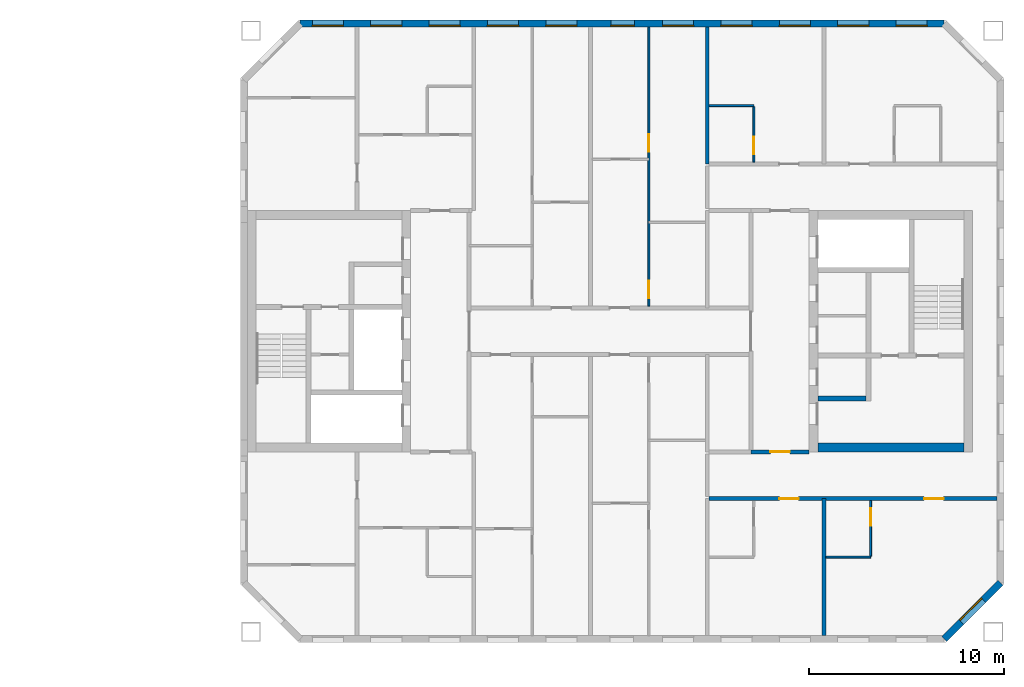
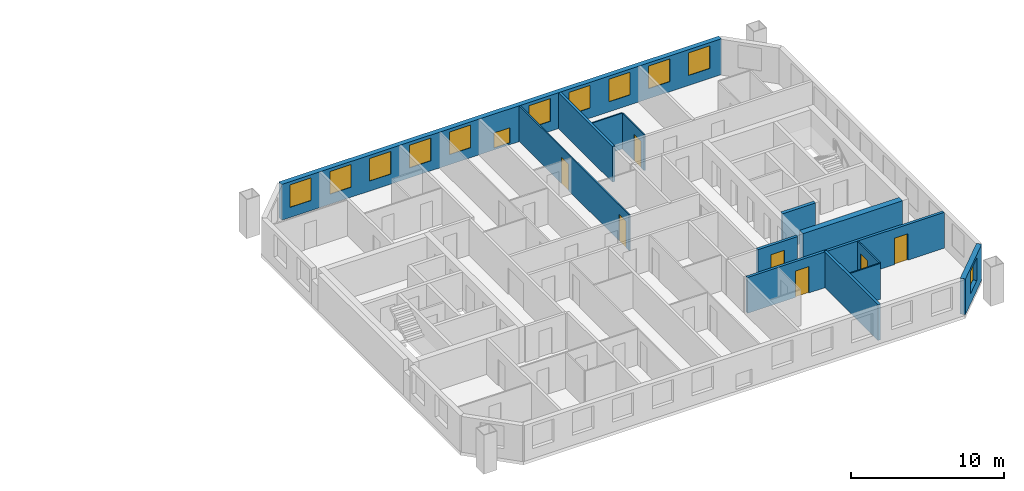
# One storey, part 11 of 15: 13 walls, 12 windows, 7 doors, 19 openings.
"""IFC4 building model written with IfcOpenShell, lengths in metres."""

from ifc_helpers import new_model, si_unit, direction, frame, frame_2d, origin, place, context, subcontext, project, spatial, rectangle, extrude, material, layer, layer_set, type_object, element, fill, save


model = new_model("IFC4")

# Units and contexts
model_context = context("Model", 3, precision=1e-05, world=origin(), true_north=direction((0.0, 1.0)))
body_context = subcontext(model_context, "Body", "Model", "MODEL_VIEW")
ifc_project = project(units=[si_unit("LENGTHUNIT", "METRE"), si_unit("AREAUNIT", "SQUARE_METRE"), si_unit("VOLUMEUNIT", "CUBIC_METRE"), si_unit("PLANEANGLEUNIT", "RADIAN"), si_unit("MASSUNIT", "GRAM", prefix="KILO")], contexts=[model_context])

# Site, building, storey
site_placement = place(None, origin())
site = spatial("IfcSite", under=ifc_project, at=site_placement, CompositionType="ELEMENT")
building_placement = place(site_placement, origin())
building = spatial("IfcBuilding", under=site, at=building_placement, Name="Tuart Gate Housing", CompositionType="ELEMENT")
storey_placement = place(building_placement, frame((0.0, 0.0, 191.300048828125)))
storey = spatial("IfcBuildingStorey", under=building, at=storey_placement, Name="L54", CompositionType="ELEMENT", Elevation=191.300048828125)

# Wall, opening, window
ifc_material_1 = material(Name="Brick", Category="masonry")
ifc_layer_1 = layer(ifc_material_1, 0.360107421875)
ifc_layer_set_1 = layer_set([ifc_layer_1], Name="Brick pier and spandrel wall 360")
wall_type_1 = type_object("IfcWallType", Name="Brick pier and spandrel wall 360", PredefinedType="STANDARD", material=ifc_layer_set_1)
wall_1_placement = place(storey_placement, frame((167.17529296875, 54.179931640625, 0.0), z_axis=(0.0, 0.0, 1.0), x_axis=(0.707106781187, 0.707106781187, 0.0)))
wall_1 = element("IfcWall", 1, at=wall_1_placement, inside=storey, type_object=wall_type_1, Name="External wall B-SE L54", PredefinedType="STANDARD", context=body_context, shape_type="SweptSolid", body=[
    extrude(rectangle(XDim=4.09375, YDim=0.360107421875, at=frame_2d((2.046875, 0.0))), origin(), (0.0, 0.0, 1.0), 2.849853515625),
])
opening_1_placement = place(wall_1_placement, frame((1.2470703125, 0.0, 0.800048828125)))
opening_1 = element("IfcOpeningElement", 2, at=opening_1_placement, cuts=wall_1, Name="Opening W1", PredefinedType="OPENING", context=body_context, shape_type="SweptSolid", body=[
    extrude(rectangle(XDim=1.60009765625, YDim=1.800048828125, at=frame_2d((0.800048828125, 0.89990234375))), frame((0.0, 0.18994140625, 0.0), z_axis=(0.0, -1.0, 0.0), x_axis=(1.0, 0.0, 0.0)), (0.0, 0.0, 1.0), 0.380126953125),
])
ifc_material_2 = material(Name="Aluminium frame with clear glass", Category="aluminium")
window_type_1 = type_object("IfcWindowType", Name="Punched window 1600 x 1800", PartitioningType="SINGLE_PANEL", PredefinedType="WINDOW", material=ifc_material_2)
window_1_placement = place(opening_1_placement, origin())
window_1 = element("IfcWindow", 3, at=window_1_placement, inside=storey, type_object=window_type_1, Name="Window W1", OverallHeight=1.800048828125, OverallWidth=1.60009765625, PartitioningType="SINGLE_PANEL", PredefinedType="WINDOW", context=body_context, shape_type="SweptSolid", body=[
    extrude(rectangle(XDim=1.60009765625, YDim=1.800048828125, at=frame_2d((0.800048828125, 0.89990234375))), frame((0.0, 0.150146484375, 0.0), z_axis=(0.0, -1.0, 0.0), x_axis=(1.0, 0.0, 0.0)), (0.0, 0.0, 1.0), 0.06005859375),
])
fill(opening_1, window_1)

# Wall, openings, windows
wall_2_placement = place(storey_placement, frame((167.17529296875, 85.820068359375, 0.0), z_axis=(0.0, 0.0, 1.0), x_axis=(-1.0, 0.0, 0.0)))
wall_2 = element("IfcWall", 4, at=wall_2_placement, inside=storey, type_object=wall_type_1, Name="External wall B-N L54", PredefinedType="STANDARD", context=body_context, shape_type="SweptSolid", body=[
    extrude(rectangle(XDim=33.100830078125, YDim=0.360107421875, at=frame_2d((16.55029296875, 0.0))), origin(), (0.0, 0.0, 1.0), 2.849853515625),
])
opening_2_placement = place(wall_2_placement, frame((0.87548828125, 0.0, 0.800048828125)))
opening_2 = element("IfcOpeningElement", 5, at=opening_2_placement, cuts=wall_2, Name="Opening W1", PredefinedType="OPENING", context=body_context, shape_type="SweptSolid", body=[
    extrude(rectangle(XDim=1.60009765625, YDim=1.800048828125, at=frame_2d((0.800048828125, 0.89990234375))), frame((0.0, 0.18994140625, 0.0), z_axis=(0.0, -1.0, 0.0), x_axis=(1.0, 0.0, 0.0)), (0.0, 0.0, 1.0), 0.380126953125),
])
opening_3_placement = place(wall_2_placement, frame((3.87548828125, 0.0, 0.800048828125)))
opening_3 = element("IfcOpeningElement", 6, at=opening_3_placement, cuts=wall_2, Name="Opening W1", PredefinedType="OPENING", context=body_context, shape_type="SweptSolid", body=[
    extrude(rectangle(XDim=1.60009765625, YDim=1.800048828125, at=frame_2d((0.800048828125, 0.89990234375))), frame((0.0, 0.18994140625, 0.0), z_axis=(0.0, -1.0, 0.0), x_axis=(1.0, 0.0, 0.0)), (0.0, 0.0, 1.0), 0.380126953125),
])
opening_4_placement = place(wall_2_placement, frame((6.87548828125, 0.0, 0.800048828125)))
opening_4 = element("IfcOpeningElement", 7, at=opening_4_placement, cuts=wall_2, Name="Opening W1", PredefinedType="OPENING", context=body_context, shape_type="SweptSolid", body=[
    extrude(rectangle(XDim=1.60009765625, YDim=1.800048828125, at=frame_2d((0.800048828125, 0.89990234375))), frame((0.0, 0.18994140625, 0.0), z_axis=(0.0, -1.0, 0.0), x_axis=(1.0, 0.0, 0.0)), (0.0, 0.0, 1.0), 0.380126953125),
])
opening_5_placement = place(wall_2_placement, frame((9.87548828125, 0.0, 0.800048828125)))
opening_5 = element("IfcOpeningElement", 8, at=opening_5_placement, cuts=wall_2, Name="Opening W1", PredefinedType="OPENING", context=body_context, shape_type="SweptSolid", body=[
    extrude(rectangle(XDim=1.60009765625, YDim=1.800048828125, at=frame_2d((0.800048828125, 0.89990234375))), frame((0.0, 0.18994140625, 0.0), z_axis=(0.0, -1.0, 0.0), x_axis=(1.0, 0.0, 0.0)), (0.0, 0.0, 1.0), 0.380126953125),
])
opening_6_placement = place(wall_2_placement, frame((12.87548828125, 0.0, 0.800048828125)))
opening_6 = element("IfcOpeningElement", 9, at=opening_6_placement, cuts=wall_2, Name="Opening W1", PredefinedType="OPENING", context=body_context, shape_type="SweptSolid", body=[
    extrude(rectangle(XDim=1.60009765625, YDim=1.800048828125, at=frame_2d((0.800048828125, 0.89990234375))), frame((0.0, 0.18994140625, 0.0), z_axis=(0.0, -1.0, 0.0), x_axis=(1.0, 0.0, 0.0)), (0.0, 0.0, 1.0), 0.380126953125),
])
opening_7_placement = place(wall_2_placement, frame((15.92529296875, 0.0, 0.14990234375)))
opening_7 = element("IfcOpeningElement", 10, at=opening_7_placement, cuts=wall_2, Name="Opening W1N", PredefinedType="OPENING", context=body_context, shape_type="SweptSolid", body=[
    extrude(rectangle(XDim=1.199951171875, YDim=1.199951171875, at=frame_2d((0.60009765625, 0.60009765625))), frame((0.0, 0.18994140625, 0.0), z_axis=(0.0, -1.0, 0.0), x_axis=(1.0, 0.0, 0.0)), (0.0, 0.0, 1.0), 0.380126953125),
])
opening_8_placement = place(wall_2_placement, frame((18.87548828125, 0.0, 0.800048828125)))
opening_8 = element("IfcOpeningElement", 11, at=opening_8_placement, cuts=wall_2, Name="Opening W1", PredefinedType="OPENING", context=body_context, shape_type="SweptSolid", body=[
    extrude(rectangle(XDim=1.60009765625, YDim=1.800048828125, at=frame_2d((0.800048828125, 0.89990234375))), frame((0.0, 0.18994140625, 0.0), z_axis=(0.0, -1.0, 0.0), x_axis=(1.0, 0.0, 0.0)), (0.0, 0.0, 1.0), 0.380126953125),
])
opening_9_placement = place(wall_2_placement, frame((21.87548828125, 0.0, 0.800048828125)))
opening_9 = element("IfcOpeningElement", 12, at=opening_9_placement, cuts=wall_2, Name="Opening W1", PredefinedType="OPENING", context=body_context, shape_type="SweptSolid", body=[
    extrude(rectangle(XDim=1.60009765625, YDim=1.800048828125, at=frame_2d((0.800048828125, 0.89990234375))), frame((0.0, 0.18994140625, 0.0), z_axis=(0.0, -1.0, 0.0), x_axis=(1.0, 0.0, 0.0)), (0.0, 0.0, 1.0), 0.380126953125),
])
opening_10_placement = place(wall_2_placement, frame((24.87548828125, 0.0, 0.800048828125)))
opening_10 = element("IfcOpeningElement", 13, at=opening_10_placement, cuts=wall_2, Name="Opening W1", PredefinedType="OPENING", context=body_context, shape_type="SweptSolid", body=[
    extrude(rectangle(XDim=1.60009765625, YDim=1.800048828125, at=frame_2d((0.800048828125, 0.89990234375))), frame((0.0, 0.18994140625, 0.0), z_axis=(0.0, -1.0, 0.0), x_axis=(1.0, 0.0, 0.0)), (0.0, 0.0, 1.0), 0.380126953125),
])
opening_11_placement = place(wall_2_placement, frame((27.87548828125, 0.0, 0.800048828125)))
opening_11 = element("IfcOpeningElement", 14, at=opening_11_placement, cuts=wall_2, Name="Opening W1", PredefinedType="OPENING", context=body_context, shape_type="SweptSolid", body=[
    extrude(rectangle(XDim=1.60009765625, YDim=1.800048828125, at=frame_2d((0.800048828125, 0.89990234375))), frame((0.0, 0.18994140625, 0.0), z_axis=(0.0, -1.0, 0.0), x_axis=(1.0, 0.0, 0.0)), (0.0, 0.0, 1.0), 0.380126953125),
])
opening_12_placement = place(wall_2_placement, frame((30.87548828125, 0.0, 0.800048828125)))
opening_12 = element("IfcOpeningElement", 15, at=opening_12_placement, cuts=wall_2, Name="Opening W1", PredefinedType="OPENING", context=body_context, shape_type="SweptSolid", body=[
    extrude(rectangle(XDim=1.60009765625, YDim=1.800048828125, at=frame_2d((0.800048828125, 0.89990234375))), frame((0.0, 0.18994140625, 0.0), z_axis=(0.0, -1.0, 0.0), x_axis=(1.0, 0.0, 0.0)), (0.0, 0.0, 1.0), 0.380126953125),
])
ifc_material_3 = material(Name="Aluminium frame with clear glass", Category="aluminium")
window_type_2 = type_object("IfcWindowType", Name="Punched window 1200 x 1200", PartitioningType="SINGLE_PANEL", PredefinedType="WINDOW", material=ifc_material_3)
window_2_placement = place(opening_7_placement, origin())
window_2 = element("IfcWindow", 16, at=window_2_placement, inside=storey, type_object=window_type_2, Name="Window W1N", OverallHeight=1.199951171875, OverallWidth=1.199951171875, PartitioningType="SINGLE_PANEL", PredefinedType="WINDOW", context=body_context, shape_type="SweptSolid", body=[
    extrude(rectangle(XDim=1.199951171875, YDim=1.199951171875, at=frame_2d((0.60009765625, 0.60009765625))), frame((0.0, 0.150146484375, 0.0), z_axis=(0.0, -1.0, 0.0), x_axis=(1.0, 0.0, 0.0)), (0.0, 0.0, 1.0), 0.06005859375),
])
fill(opening_7, window_2)
window_3_placement = place(opening_2_placement, origin())
window_3 = element("IfcWindow", 17, at=window_3_placement, inside=storey, type_object=window_type_1, Name="Window W1", OverallHeight=1.800048828125, OverallWidth=1.60009765625, PartitioningType="SINGLE_PANEL", PredefinedType="WINDOW", context=body_context, shape_type="SweptSolid", body=[
    extrude(rectangle(XDim=1.60009765625, YDim=1.800048828125, at=frame_2d((0.800048828125, 0.89990234375))), frame((0.0, 0.150146484375, 0.0), z_axis=(0.0, -1.0, 0.0), x_axis=(1.0, 0.0, 0.0)), (0.0, 0.0, 1.0), 0.06005859375),
])
fill(opening_2, window_3)
window_4_placement = place(opening_3_placement, origin())
window_4 = element("IfcWindow", 18, at=window_4_placement, inside=storey, type_object=window_type_1, Name="Window W1", OverallHeight=1.800048828125, OverallWidth=1.60009765625, PartitioningType="SINGLE_PANEL", PredefinedType="WINDOW", context=body_context, shape_type="SweptSolid", body=[
    extrude(rectangle(XDim=1.60009765625, YDim=1.800048828125, at=frame_2d((0.800048828125, 0.89990234375))), frame((0.0, 0.150146484375, 0.0), z_axis=(0.0, -1.0, 0.0), x_axis=(1.0, 0.0, 0.0)), (0.0, 0.0, 1.0), 0.06005859375),
])
fill(opening_3, window_4)
window_5_placement = place(opening_4_placement, origin())
window_5 = element("IfcWindow", 19, at=window_5_placement, inside=storey, type_object=window_type_1, Name="Window W1", OverallHeight=1.800048828125, OverallWidth=1.60009765625, PartitioningType="SINGLE_PANEL", PredefinedType="WINDOW", context=body_context, shape_type="SweptSolid", body=[
    extrude(rectangle(XDim=1.60009765625, YDim=1.800048828125, at=frame_2d((0.800048828125, 0.89990234375))), frame((0.0, 0.150146484375, 0.0), z_axis=(0.0, -1.0, 0.0), x_axis=(1.0, 0.0, 0.0)), (0.0, 0.0, 1.0), 0.06005859375),
])
fill(opening_4, window_5)
window_6_placement = place(opening_5_placement, origin())
window_6 = element("IfcWindow", 20, at=window_6_placement, inside=storey, type_object=window_type_1, Name="Window W1", OverallHeight=1.800048828125, OverallWidth=1.60009765625, PartitioningType="SINGLE_PANEL", PredefinedType="WINDOW", context=body_context, shape_type="SweptSolid", body=[
    extrude(rectangle(XDim=1.60009765625, YDim=1.800048828125, at=frame_2d((0.800048828125, 0.89990234375))), frame((0.0, 0.150146484375, 0.0), z_axis=(0.0, -1.0, 0.0), x_axis=(1.0, 0.0, 0.0)), (0.0, 0.0, 1.0), 0.06005859375),
])
fill(opening_5, window_6)
window_7_placement = place(opening_6_placement, origin())
window_7 = element("IfcWindow", 21, at=window_7_placement, inside=storey, type_object=window_type_1, Name="Window W1", OverallHeight=1.800048828125, OverallWidth=1.60009765625, PartitioningType="SINGLE_PANEL", PredefinedType="WINDOW", context=body_context, shape_type="SweptSolid", body=[
    extrude(rectangle(XDim=1.60009765625, YDim=1.800048828125, at=frame_2d((0.800048828125, 0.89990234375))), frame((0.0, 0.150146484375, 0.0), z_axis=(0.0, -1.0, 0.0), x_axis=(1.0, 0.0, 0.0)), (0.0, 0.0, 1.0), 0.06005859375),
])
fill(opening_6, window_7)
window_8_placement = place(opening_8_placement, origin())
window_8 = element("IfcWindow", 22, at=window_8_placement, inside=storey, type_object=window_type_1, Name="Window W1", OverallHeight=1.800048828125, OverallWidth=1.60009765625, PartitioningType="SINGLE_PANEL", PredefinedType="WINDOW", context=body_context, shape_type="SweptSolid", body=[
    extrude(rectangle(XDim=1.60009765625, YDim=1.800048828125, at=frame_2d((0.800048828125, 0.89990234375))), frame((0.0, 0.150146484375, 0.0), z_axis=(0.0, -1.0, 0.0), x_axis=(1.0, 0.0, 0.0)), (0.0, 0.0, 1.0), 0.06005859375),
])
fill(opening_8, window_8)
window_9_placement = place(opening_9_placement, origin())
window_9 = element("IfcWindow", 23, at=window_9_placement, inside=storey, type_object=window_type_1, Name="Window W1", OverallHeight=1.800048828125, OverallWidth=1.60009765625, PartitioningType="SINGLE_PANEL", PredefinedType="WINDOW", context=body_context, shape_type="SweptSolid", body=[
    extrude(rectangle(XDim=1.60009765625, YDim=1.800048828125, at=frame_2d((0.800048828125, 0.89990234375))), frame((0.0, 0.150146484375, 0.0), z_axis=(0.0, -1.0, 0.0), x_axis=(1.0, 0.0, 0.0)), (0.0, 0.0, 1.0), 0.06005859375),
])
fill(opening_9, window_9)
window_10_placement = place(opening_10_placement, origin())
window_10 = element("IfcWindow", 24, at=window_10_placement, inside=storey, type_object=window_type_1, Name="Window W1", OverallHeight=1.800048828125, OverallWidth=1.60009765625, PartitioningType="SINGLE_PANEL", PredefinedType="WINDOW", context=body_context, shape_type="SweptSolid", body=[
    extrude(rectangle(XDim=1.60009765625, YDim=1.800048828125, at=frame_2d((0.800048828125, 0.89990234375))), frame((0.0, 0.150146484375, 0.0), z_axis=(0.0, -1.0, 0.0), x_axis=(1.0, 0.0, 0.0)), (0.0, 0.0, 1.0), 0.06005859375),
])
fill(opening_10, window_10)
window_11_placement = place(opening_11_placement, origin())
window_11 = element("IfcWindow", 25, at=window_11_placement, inside=storey, type_object=window_type_1, Name="Window W1", OverallHeight=1.800048828125, OverallWidth=1.60009765625, PartitioningType="SINGLE_PANEL", PredefinedType="WINDOW", context=body_context, shape_type="SweptSolid", body=[
    extrude(rectangle(XDim=1.60009765625, YDim=1.800048828125, at=frame_2d((0.800048828125, 0.89990234375))), frame((0.0, 0.150146484375, 0.0), z_axis=(0.0, -1.0, 0.0), x_axis=(1.0, 0.0, 0.0)), (0.0, 0.0, 1.0), 0.06005859375),
])
fill(opening_11, window_11)
window_12_placement = place(opening_12_placement, origin())
window_12 = element("IfcWindow", 26, at=window_12_placement, inside=storey, type_object=window_type_1, Name="Window W1", OverallHeight=1.800048828125, OverallWidth=1.60009765625, PartitioningType="SINGLE_PANEL", PredefinedType="WINDOW", context=body_context, shape_type="SweptSolid", body=[
    extrude(rectangle(XDim=1.60009765625, YDim=1.800048828125, at=frame_2d((0.800048828125, 0.89990234375))), frame((0.0, 0.150146484375, 0.0), z_axis=(0.0, -1.0, 0.0), x_axis=(1.0, 0.0, 0.0)), (0.0, 0.0, 1.0), 0.06005859375),
])
fill(opening_12, window_12)

# Walls
ifc_material_4 = material(Name="Concrete C40", Category="concrete")
ifc_layer_2 = layer(ifc_material_4, 0.25)
ifc_layer_set_2 = layer_set([ifc_layer_2], Name="Core wall 250 C40")
wall_type_2 = type_object("IfcWallType", Name="Core wall 250 C40", PredefinedType="SHEAR", material=ifc_layer_set_2)
wall_3_placement = place(storey_placement, frame((160.68994140625, 66.550048828125, 0.0), z_axis=(0.0, 0.0, 1.0), x_axis=(1.0, 0.0, 0.0)))
element("IfcWall", 27, at=wall_3_placement, inside=storey, type_object=wall_type_2, Name="Core wall BK.4", PredefinedType="SHEAR", context=body_context, shape_type="SweptSolid", body=[
    extrude(rectangle(XDim=2.47509765625, YDim=0.25, at=frame_2d((1.237548828125, 0.0))), origin(), (0.0, 0.0, 1.0), 2.849853515625),
])
ifc_material_5 = material(Name="Concrete C40", Category="concrete")
ifc_layer_3 = layer(ifc_material_5, 0.449951171875)
ifc_layer_set_3 = layer_set([ifc_layer_3], Name="Core wall 450 C40")
wall_type_3 = type_object("IfcWallType", Name="Core wall 450 C40", PredefinedType="SHEAR", material=ifc_layer_set_3)
wall_4_placement = place(storey_placement, frame((160.68994140625, 64.02490234375, 0.0), z_axis=(0.0, 0.0, 1.0), x_axis=(1.0, 0.0, 0.0)))
element("IfcWall", 28, at=wall_4_placement, inside=storey, type_object=wall_type_3, Name="Core wall BK north", PredefinedType="SHEAR", context=body_context, shape_type="SweptSolid", body=[
    extrude(rectangle(XDim=7.5, YDim=0.449951171875, at=frame_2d((3.75, 0.0))), origin(), (0.0, 0.0, 1.0), 2.849853515625),
])

# Wall, openings, doors
ifc_material_6 = material(Name="Concrete masonry 15 MPa", Category="masonry")
ifc_layer_4 = layer(ifc_material_6, 0.199951171875)
ifc_layer_set_4 = layer_set([ifc_layer_4], Name="Corridor wall masonry 200")
wall_type_4 = type_object("IfcWallType", Name="Corridor wall masonry 200", PredefinedType="PARTITIONING", material=ifc_layer_set_4)
wall_5_placement = place(storey_placement, frame((155.10009765625, 61.39990234375, 0.0), z_axis=(0.0, 0.0, 1.0), x_axis=(1.0, 0.0, 0.0)))
wall_5 = element("IfcWall", 29, at=wall_5_placement, inside=storey, type_object=wall_type_4, Name="Corridor wall masonry 200", PredefinedType="PARTITIONING", context=body_context, shape_type="SweptSolid", body=[
    extrude(rectangle(XDim=14.789794921875, YDim=0.199951171875, at=frame_2d((7.39501953125, 0.0))), origin(), (0.0, 0.0, 1.0), 2.849853515625),
])
opening_13_placement = place(wall_5_placement, frame((3.60009765625, 0.0, 0.0)))
opening_13 = element("IfcOpeningElement", 30, at=opening_13_placement, cuts=wall_5, Name="Opening D2703", PredefinedType="OPENING", context=body_context, shape_type="SweptSolid", body=[
    extrude(rectangle(XDim=1.0, YDim=2.10009765625, at=frame_2d((0.5, 1.050048828125))), frame((0.0, 0.10986328125, 0.0), z_axis=(0.0, -1.0, 0.0), x_axis=(1.0, 0.0, 0.0)), (0.0, 0.0, 1.0), 0.219970703125),
])
opening_14_placement = place(wall_5_placement, frame((11.044921875, 0.0, 0.0)))
opening_14 = element("IfcOpeningElement", 31, at=opening_14_placement, cuts=wall_5, Name="Opening D2704", PredefinedType="OPENING", context=body_context, shape_type="SweptSolid", body=[
    extrude(rectangle(XDim=1.0, YDim=2.10009765625, at=frame_2d((0.5, 1.050048828125))), frame((0.0, 0.10986328125, 0.0), z_axis=(0.0, -1.0, 0.0), x_axis=(1.0, 0.0, 0.0)), (0.0, 0.0, 1.0), 0.219970703125),
])
ifc_material_7 = material(Name="Timber door leaf in steel frame", Category="steel")
door_type_1 = type_object("IfcDoorType", Name="Flat entrance door 1000 RH", OperationType="SINGLE_SWING_RIGHT", PredefinedType="DOOR", material=ifc_material_7)
door_1_placement = place(opening_13_placement, frame((1.0, 0.0, 0.0), z_axis=(0.0, 0.0, 1.0), x_axis=(-1.0, 0.0, 0.0)))
door_1 = element("IfcDoor", 32, at=door_1_placement, inside=storey, type_object=door_type_1, Name="Flat entrance door", OperationType="SINGLE_SWING_RIGHT", OverallHeight=2.10009765625, OverallWidth=1.0, PredefinedType="DOOR", context=body_context, shape_type="SweptSolid", body=[
    extrude(rectangle(XDim=1.0, YDim=2.10009765625, at=frame_2d((0.5, 1.050048828125))), frame((0.0, 0.025146484375, 0.0), z_axis=(0.0, -1.0, 0.0), x_axis=(1.0, 0.0, 0.0)), (0.0, 0.0, 1.0), 0.050048828125),
])
fill(opening_13, door_1)
door_2_placement = place(opening_14_placement, frame((1.0, 0.0, 0.0), z_axis=(0.0, 0.0, 1.0), x_axis=(-1.0, 0.0, 0.0)))
door_2 = element("IfcDoor", 33, at=door_2_placement, inside=storey, type_object=door_type_1, Name="Flat entrance door", OperationType="SINGLE_SWING_RIGHT", OverallHeight=2.10009765625, OverallWidth=1.0, PredefinedType="DOOR", context=body_context, shape_type="SweptSolid", body=[
    extrude(rectangle(XDim=1.0, YDim=2.10009765625, at=frame_2d((0.5, 1.050048828125))), frame((0.0, 0.025146484375, 0.0), z_axis=(0.0, -1.0, 0.0), x_axis=(1.0, 0.0, 0.0)), (0.0, 0.0, 1.0), 0.050048828125),
])
fill(opening_14, door_2)

# Wall, opening, door
ifc_material_8 = material(Name="Concrete masonry 15 MPa", Category="masonry")
ifc_layer_5 = layer(ifc_material_8, 0.199951171875)
ifc_layer_set_5 = layer_set([ifc_layer_5], Name="Enclosure wall masonry 200")
wall_type_5 = type_object("IfcWallType", Name="Enclosure wall masonry 200", PredefinedType="PARTITIONING", material=ifc_layer_set_5)
wall_6_placement = place(storey_placement, frame((157.239990234375, 63.800048828125, 0.0), z_axis=(0.0, 0.0, 1.0), x_axis=(1.0, 0.0, 0.0)))
wall_6 = element("IfcWall", 34, at=wall_6_placement, inside=storey, type_object=wall_type_5, Name="Enclosure wall masonry 200", PredefinedType="PARTITIONING", context=body_context, shape_type="SweptSolid", body=[
    extrude(rectangle(XDim=3.0, YDim=0.199951171875, at=frame_2d((1.5, 0.0))), origin(), (0.0, 0.0, 1.0), 2.849853515625),
])
opening_15_placement = place(wall_6_placement, frame((1.0, 0.0, 0.0)))
opening_15 = element("IfcOpeningElement", 35, at=opening_15_placement, cuts=wall_6, Name="Opening D2698", PredefinedType="OPENING", context=body_context, shape_type="SweptSolid", body=[
    extrude(rectangle(XDim=1.0, YDim=2.10009765625, at=frame_2d((0.5, 1.050048828125))), frame((0.0, 0.10986328125, 0.0), z_axis=(0.0, -1.0, 0.0), x_axis=(1.0, 0.0, 0.0)), (0.0, 0.0, 1.0), 0.219970703125),
])
ifc_material_9 = material(Name="Timber door leaf in steel frame", Category="steel")
door_type_2 = type_object("IfcDoorType", Name="Fire door 1000 RH", OperationType="SINGLE_SWING_RIGHT", PredefinedType="DOOR", material=ifc_material_9)
door_3_placement = place(opening_15_placement, frame((1.0, 0.0, 0.0), z_axis=(0.0, 0.0, 1.0), x_axis=(-1.0, 0.0, 0.0)))
door_3 = element("IfcDoor", 36, at=door_3_placement, inside=storey, type_object=door_type_2, Name="Fire door", OperationType="SINGLE_SWING_RIGHT", OverallHeight=2.10009765625, OverallWidth=1.0, PredefinedType="DOOR", context=body_context, shape_type="SweptSolid", body=[
    extrude(rectangle(XDim=1.0, YDim=2.10009765625, at=frame_2d((0.5, 1.050048828125))), frame((0.0, 0.025146484375, 0.0), z_axis=(0.0, -1.0, 0.0), x_axis=(1.0, 0.0, 0.0)), (0.0, 0.0, 1.0), 0.050048828125),
])
fill(opening_15, door_3)

# Walls
ifc_material_10 = material(Name="Gypsum board on steel studs", Category="steel")
ifc_layer_6 = layer(ifc_material_10, 0.10009765625)
ifc_layer_set_6 = layer_set([ifc_layer_6], Name="Partition 100")
wall_type_6 = type_object("IfcWallType", Name="Partition 100", PredefinedType="PARTITIONING", material=ifc_layer_set_6)
for number, where, z_axis, x_axis, name in (
    (37, (161.10009765625, 58.39990234375, 0.0), (0.0, 0.0, 1.0), (1.0, 0.0, 0.0), "Partition 100"),
    (38, (155.10009765625, 81.60009765625, 0.0), (0.0, 0.0, 1.0), (1.0, 0.0, 0.0), "Partition 100"),
):
    element("IfcWall", number, at=place(storey_placement, frame(where, z_axis=z_axis, x_axis=x_axis)), inside=storey, type_object=wall_type_6, Name=name, PredefinedType="PARTITIONING", context=body_context, shape_type="SweptSolid", body=[
        extrude(rectangle(XDim=2.2998046875, YDim=0.10009765625, at=frame_2d((1.14990234375, 0.0))), origin(), (0.0, 0.0, 1.0), 2.849853515625),
    ])

# Wall, openings, doors
wall_7_placement = place(storey_placement, frame((152.0, 71.300048828125, 0.0), z_axis=(0.0, 0.0, 1.0), x_axis=(0.0, 1.0, 0.0)))
wall_7 = element("IfcWall", 39, at=wall_7_placement, inside=storey, type_object=wall_type_6, Name="Partition 100", PredefinedType="PARTITIONING", context=body_context, shape_type="SweptSolid", body=[
    extrude(rectangle(XDim=14.33984375, YDim=0.10009765625, at=frame_2d((7.169921875, 0.0))), origin(), (0.0, 0.0, 1.0), 2.849853515625),
])
opening_16_placement = place(wall_7_placement, frame((7.93994140625, 0.0, 0.0)))
opening_16 = element("IfcOpeningElement", 40, at=opening_16_placement, cuts=wall_7, Name="Opening D2676", PredefinedType="OPENING", context=body_context, shape_type="SweptSolid", body=[
    extrude(rectangle(XDim=0.89990234375, YDim=2.10009765625, at=frame_2d((0.449951171875, 1.050048828125))), frame((0.0, 0.06005859375, 0.0), z_axis=(0.0, -1.0, 0.0), x_axis=(1.0, 0.0, 0.0)), (0.0, 0.0, 1.0), 0.1201171875),
])
opening_17_placement = place(wall_7_placement, frame((0.39990234375, 0.0, 0.0)))
opening_17 = element("IfcOpeningElement", 41, at=opening_17_placement, cuts=wall_7, Name="Opening D2675", PredefinedType="OPENING", context=body_context, shape_type="SweptSolid", body=[
    extrude(rectangle(XDim=0.89990234375, YDim=2.10009765625, at=frame_2d((0.449951171875, 1.050048828125))), frame((0.0, 0.06005859375, 0.0), z_axis=(0.0, -1.0, 0.0), x_axis=(1.0, 0.0, 0.0)), (0.0, 0.0, 1.0), 0.1201171875),
])
ifc_material_11 = material(Name="Timber door leaf in steel frame", Category="steel")
door_type_3 = type_object("IfcDoorType", Name="Bathroom door 900 RH", OperationType="SINGLE_SWING_RIGHT", PredefinedType="DOOR", material=ifc_material_11)
door_4_placement = place(opening_17_placement, frame((0.89990234375, 0.0, 0.0), z_axis=(0.0, 0.0, 1.0), x_axis=(-1.0, 0.0, 0.0)))
door_4 = element("IfcDoor", 42, at=door_4_placement, inside=storey, type_object=door_type_3, Name="Bathroom door", OperationType="SINGLE_SWING_RIGHT", OverallHeight=2.10009765625, OverallWidth=0.89990234375, PredefinedType="DOOR", context=body_context, shape_type="SweptSolid", body=[
    extrude(rectangle(XDim=0.89990234375, YDim=2.10009765625, at=frame_2d((0.449951171875, 1.050048828125))), frame((0.0, 0.025146484375, 0.0), z_axis=(0.0, -1.0, 0.0), x_axis=(1.0, 0.0, 0.0)), (0.0, 0.0, 1.0), 0.050048828125),
])
fill(opening_17, door_4)
ifc_material_12 = material(Name="Timber door leaf in steel frame", Category="steel")
door_type_4 = type_object("IfcDoorType", Name="Internal door 900 RH", OperationType="SINGLE_SWING_RIGHT", PredefinedType="DOOR", material=ifc_material_12)
door_5_placement = place(opening_16_placement, frame((0.89990234375, 0.0, 0.0), z_axis=(0.0, 0.0, 1.0), x_axis=(-1.0, 0.0, 0.0)))
door_5 = element("IfcDoor", 43, at=door_5_placement, inside=storey, type_object=door_type_4, Name="Internal door", OperationType="SINGLE_SWING_RIGHT", OverallHeight=2.10009765625, OverallWidth=0.89990234375, PredefinedType="DOOR", context=body_context, shape_type="SweptSolid", body=[
    extrude(rectangle(XDim=0.89990234375, YDim=2.10009765625, at=frame_2d((0.449951171875, 1.050048828125))), frame((0.0, 0.025146484375, 0.0), z_axis=(0.0, -1.0, 0.0), x_axis=(1.0, 0.0, 0.0)), (0.0, 0.0, 1.0), 0.050048828125),
])
fill(opening_16, door_5)

# Wall, opening, door
wall_8_placement = place(storey_placement, frame((157.39990234375, 78.699951171875, 0.0), z_axis=(0.0, 0.0, 1.0), x_axis=(0.0, 1.0, 0.0)))
wall_8 = element("IfcWall", 44, at=wall_8_placement, inside=storey, type_object=wall_type_6, Name="Partition 100", PredefinedType="PARTITIONING", context=body_context, shape_type="SweptSolid", body=[
    extrude(rectangle(XDim=2.85009765625, YDim=0.10009765625, at=frame_2d((1.425048828125, 0.0))), origin(), (0.0, 0.0, 1.0), 2.849853515625),
])
opening_18_placement = place(wall_8_placement, frame((0.39990234375, 0.0, 0.0)))
opening_18 = element("IfcOpeningElement", 45, at=opening_18_placement, cuts=wall_8, Name="Opening D2666", PredefinedType="OPENING", context=body_context, shape_type="SweptSolid", body=[
    extrude(rectangle(XDim=0.89990234375, YDim=2.10009765625, at=frame_2d((0.449951171875, 1.050048828125))), frame((0.0, 0.06005859375, 0.0), z_axis=(0.0, -1.0, 0.0), x_axis=(1.0, 0.0, 0.0)), (0.0, 0.0, 1.0), 0.1201171875),
])
ifc_material_13 = material(Name="Timber door leaf in steel frame", Category="steel")
door_type_5 = type_object("IfcDoorType", Name="Bathroom door 900", OperationType="SINGLE_SWING_LEFT", PredefinedType="DOOR", material=ifc_material_13)
door_6_placement = place(opening_18_placement, origin())
door_6 = element("IfcDoor", 46, at=door_6_placement, inside=storey, type_object=door_type_5, Name="Bathroom door", OperationType="SINGLE_SWING_LEFT", OverallHeight=2.10009765625, OverallWidth=0.89990234375, PredefinedType="DOOR", context=body_context, shape_type="SweptSolid", body=[
    extrude(rectangle(XDim=0.89990234375, YDim=2.10009765625, at=frame_2d((0.449951171875, 1.050048828125))), frame((0.0, 0.02490234375, 0.0), z_axis=(0.0, -1.0, 0.0), x_axis=(1.0, 0.0, 0.0)), (0.0, 0.0, 1.0), 0.050048828125),
])
fill(opening_18, door_6)

wall_9_placement = place(storey_placement, frame((163.39990234375, 58.449951171875, 0.0), z_axis=(0.0, 0.0, 1.0), x_axis=(0.0, 1.0, 0.0)))
wall_9 = element("IfcWall", 47, at=wall_9_placement, inside=storey, type_object=wall_type_6, Name="Partition 100", PredefinedType="PARTITIONING", context=body_context, shape_type="SweptSolid", body=[
    extrude(rectangle(XDim=2.85009765625, YDim=0.10009765625, at=frame_2d((1.425048828125, 0.0))), origin(), (0.0, 0.0, 1.0), 2.849853515625),
])
opening_19_placement = place(wall_9_placement, frame((1.550048828125, 0.0, 0.0)))
opening_19 = element("IfcOpeningElement", 48, at=opening_19_placement, cuts=wall_9, Name="Opening D2709", PredefinedType="OPENING", context=body_context, shape_type="SweptSolid", body=[
    extrude(rectangle(XDim=0.89990234375, YDim=2.10009765625, at=frame_2d((0.449951171875, 1.050048828125))), frame((0.0, 0.06005859375, 0.0), z_axis=(0.0, -1.0, 0.0), x_axis=(1.0, 0.0, 0.0)), (0.0, 0.0, 1.0), 0.1201171875),
])
door_7_placement = place(opening_19_placement, origin())
door_7 = element("IfcDoor", 49, at=door_7_placement, inside=storey, type_object=door_type_3, Name="Bathroom door", OperationType="SINGLE_SWING_RIGHT", OverallHeight=2.10009765625, OverallWidth=0.89990234375, PredefinedType="DOOR", context=body_context, shape_type="SweptSolid", body=[
    extrude(rectangle(XDim=0.89990234375, YDim=2.10009765625, at=frame_2d((0.449951171875, 1.050048828125))), frame((0.0, 0.02490234375, 0.0), z_axis=(0.0, -1.0, 0.0), x_axis=(1.0, 0.0, 0.0)), (0.0, 0.0, 1.0), 0.050048828125),
])
fill(opening_19, door_7)

# Walls
ifc_material_14 = material(Name="Concrete C40", Category="concrete")
ifc_layer_7 = layer(ifc_material_14, 0.199951171875)
ifc_layer_set_7 = layer_set([ifc_layer_7], Name="Party wall concrete C40 200")
wall_type_7 = type_object("IfcWallType", Name="Party wall concrete C40 200", PredefinedType="SOLIDWALL", material=ifc_layer_set_7)
for number, where, z_axis, x_axis, name in (
    (50, (155.0, 78.60009765625, 0.0), (0.0, 0.0, 1.0), (0.0, 1.0, 0.0), "Party wall concrete C40 200"),
    (51, (161.0, 54.360107421875, 0.0), (0.0, 0.0, 1.0), (0.0, 1.0, 0.0), "Party wall concrete C40 200"),
):
    element("IfcWall", number, at=place(storey_placement, frame(where, z_axis=z_axis, x_axis=x_axis)), inside=storey, type_object=wall_type_7, Name=name, PredefinedType="SOLIDWALL", context=body_context, shape_type="SweptSolid", body=[
        extrude(rectangle(XDim=7.039794921875, YDim=0.199951171875, at=frame_2d((3.52001953125, 0.0))), origin(), (0.0, 0.0, 1.0), 2.849853515625),
    ])

save(model, "model.ifc")
